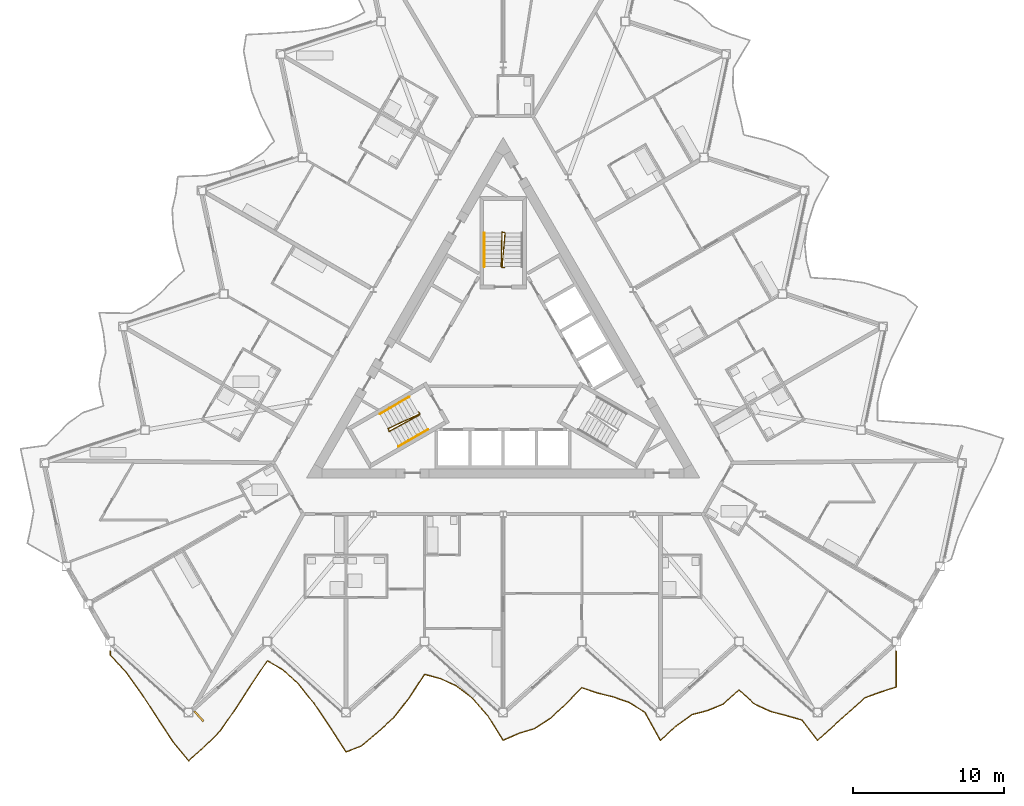
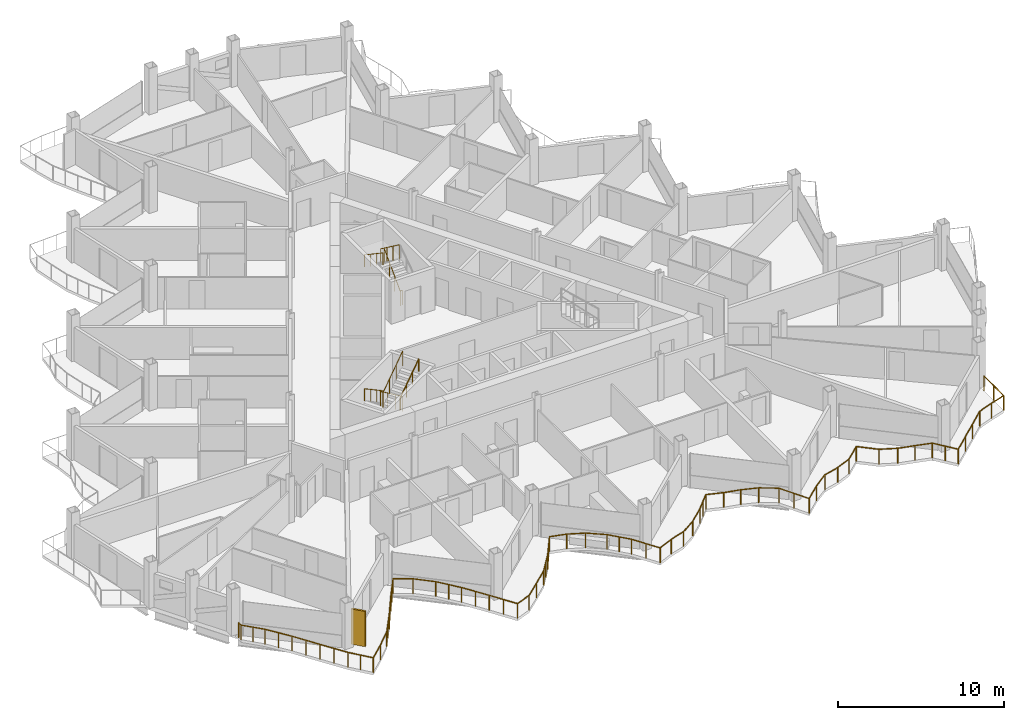
# One storey, part 23 of 27: 6 railings, 1 shading device.
"""IFC4 building model written with IfcOpenShell, lengths in metres."""

from ifc_helpers import new_model, si_unit, direction, frame, origin, origin_2d, place, context, subcontext, project, spatial, rectangle, circle, extrude, material, layer, layer_set, type_object, element, save


model = new_model("IFC4")

# Units and contexts
model_context = context("Model", 3, precision=1e-05, world=origin(), true_north=direction((0.0, 1.0)))
body_context = subcontext(model_context, "Body", "Model", "MODEL_VIEW")
ifc_project = project(units=[si_unit("LENGTHUNIT", "METRE"), si_unit("AREAUNIT", "SQUARE_METRE"), si_unit("VOLUMEUNIT", "CUBIC_METRE"), si_unit("PLANEANGLEUNIT", "RADIAN"), si_unit("MASSUNIT", "GRAM", prefix="KILO")], contexts=[model_context])

# Site, building, storey
site_placement = place(None, origin())
site = spatial("IfcSite", under=ifc_project, at=site_placement, CompositionType="ELEMENT")
building_placement = place(site_placement, origin())
building = spatial("IfcBuilding", under=site, at=building_placement, Name="Cormorant Prow Tower", CompositionType="ELEMENT")
storey_placement = place(building_placement, frame((0.0, 0.0, 332.39990234375)))
storey = spatial("IfcBuildingStorey", under=building, at=storey_placement, Name="L74", CompositionType="ELEMENT", Elevation=332.39990234375)

# Railings
ifc_material_1 = material(Name="Aluminium 6063-T6", Category="aluminium")
railing_type_1 = type_object("IfcRailingType", Name="Balcony guard 1100", PredefinedType="GUARDRAIL", material=ifc_material_1)
railing_1_placement = place(storey_placement, frame((-25.9814453125, -18.957763671875, 0.0)))
element("IfcRailing", 1, at=railing_1_placement, inside=storey, type_object=railing_type_1, Name="Balcony guard S", PredefinedType="GUARDRAIL", context=body_context, shape_type="SweptSolid", body=[
    extrude(circle(Radius=0.02392578125, at=origin_2d()), frame((0.0, 0.0, 1.076171875), z_axis=(0.0, -1.0, 0.0), x_axis=(1.0, 0.0, 0.0)), (0.0, 0.0, 1.0), 0.27001953125),
    extrude(circle(Radius=0.02392578125, at=origin_2d()), frame((0.0, -0.27001953125, 1.076171875), z_axis=(0.68032849275, -0.73290732153, 0.0), x_axis=(0.73290732153, 0.68032849275, 0.0)), (0.0, 0.0, 1.0), 1.527587890625),
    extrude(circle(Radius=0.02392578125, at=origin_2d()), frame((1.039306640625, -1.3896484375, 1.076171875), z_axis=(0.587080559974, -0.809528514693, 0.0), x_axis=(0.809528514693, 0.587080559974, 0.0)), (0.0, 0.0, 1.0), 1.770263671875),
    extrude(circle(Radius=0.02392578125, at=origin_2d()), frame((2.07861328125, -2.82275390625, 1.076171875), z_axis=(0.544651024109, -0.838662782015, 0.0), x_axis=(0.838662782015, 0.544651024109, 0.0)), (0.0, 0.0, 1.0), 1.908203125),
    extrude(circle(Radius=0.02392578125, at=origin_2d()), frame((3.117919921875, -4.423095703125, 1.076171875), z_axis=(0.551437597505, -0.834216144688, 0.0), x_axis=(0.834216144688, 0.551437597505, 0.0)), (0.0, 0.0, 1.0), 1.884765625),
    extrude(circle(Radius=0.02392578125, at=origin_2d()), frame((4.1572265625, -5.995361328125, 1.076171875), z_axis=(0.638205833075, -0.769865777022, 0.0), x_axis=(0.769865777022, 0.638205833075, 0.0)), (0.0, 0.0, 1.0), 1.628173828125),
    extrude(circle(Radius=0.02392578125, at=origin_2d()), frame((5.1962890625, -7.248779296875, 1.076171875), z_axis=(0.743146563056, 0.669128676578, 0.0), x_axis=(-0.669128676578, 0.743146563056, 0.0)), (0.0, 0.0, 1.0), 1.3984375),
    extrude(circle(Radius=0.02392578125, at=origin_2d()), frame((6.235595703125, -6.31298828125, 1.076171875), z_axis=(0.709686070567, 0.704518048912, 0.0), x_axis=(-0.704518048912, 0.709686070567, 0.0)), (0.0, 0.0, 1.0), 1.46435546875),
    extrude(circle(Radius=0.02392578125, at=origin_2d()), frame((7.27490234375, -5.28125, 1.076171875), z_axis=(0.570087082599, 0.821584273373, 0.0), x_axis=(-0.821584273373, 0.570087082599, 0.0)), (0.0, 0.0, 1.0), 1.822998046875),
    extrude(circle(Radius=0.02392578125, at=origin_2d()), frame((8.314208984375, -3.783447265625, 1.076171875), z_axis=(0.54159343413, 0.840640560589, 0.0), x_axis=(-0.840640560589, 0.54159343413, 0.0)), (0.0, 0.0, 1.0), 1.91845703125),
    extrude(circle(Radius=0.02392578125, at=origin_2d()), frame((9.353271484375, -2.170654296875, 1.076171875), z_axis=(0.562143861923, 0.827039466109, 0.0), x_axis=(-0.827039466109, 0.562143861923, 0.0)), (0.0, 0.0, 1.0), 1.848876953125),
    extrude(circle(Radius=0.02392578125, at=origin_2d()), frame((10.392578125, -0.6416015625, 1.076171875), z_axis=(0.865741715435, -0.500491041035, 0.0), x_axis=(0.500491041035, 0.865741715435, 0.0)), (0.0, 0.0, 1.0), 1.200439453125),
    extrude(circle(Radius=0.02392578125, at=origin_2d()), frame((11.431884765625, -1.242431640625, 1.076171875), z_axis=(0.735452211417, -0.677576596941, 0.0), x_axis=(0.677576596941, 0.735452211417, 0.0)), (0.0, 0.0, 1.0), 1.4130859375),
    extrude(circle(Radius=0.02392578125, at=origin_2d()), frame((12.47119140625, -2.199951171875, 1.076171875), z_axis=(0.621982306184, -0.783031296178, 0.0), x_axis=(0.783031296178, 0.621982306184, 0.0)), (0.0, 0.0, 1.0), 1.670654296875),
    extrude(circle(Radius=0.02392578125, at=origin_2d()), frame((13.51025390625, -3.508056640625, 1.076171875), z_axis=(0.55714419528, -0.830415766749, 0.0), x_axis=(0.830415766749, 0.55714419528, 0.0)), (0.0, 0.0, 1.0), 1.865478515625),
    extrude(circle(Radius=0.02392578125, at=origin_2d()), frame((14.549560546875, -5.05712890625, 1.076171875), z_axis=(0.542437384069, -0.840096235181, 0.0), x_axis=(0.840096235181, 0.542437384069, 0.0)), (0.0, 0.0, 1.0), 1.916015625),
    extrude(circle(Radius=0.02392578125, at=origin_2d()), frame((15.5888671875, -6.666748046875, 1.076171875), z_axis=(0.933368207953, 0.358920309236, 0.0), x_axis=(-0.358920309236, 0.933368207953, 0.0)), (0.0, 0.0, 1.0), 1.113525390625),
    extrude(circle(Radius=0.02392578125, at=origin_2d()), frame((16.628173828125, -6.26708984375, 1.076171875), z_axis=(0.759596574273, 0.650394529769, 0.0), x_axis=(-0.650394529769, 0.759596574273, 0.0)), (0.0, 0.0, 1.0), 1.3681640625),
    extrude(circle(Radius=0.02392578125, at=origin_2d()), frame((17.66748046875, -5.377197265625, 1.076171875), z_axis=(0.743155211164, 0.669119071706, 0.0), x_axis=(-0.669119071706, 0.743155211164, 0.0)), (0.0, 0.0, 1.0), 1.398193359375),
    extrude(circle(Radius=0.02392578125, at=origin_2d()), frame((18.70654296875, -4.441650390625, 1.076171875), z_axis=(0.618456548917, 0.785818997672, 0.0), x_axis=(-0.785818997672, 0.618456548917, 0.0)), (0.0, 0.0, 1.0), 1.680419921875),
    extrude(circle(Radius=0.02392578125, at=origin_2d()), frame((19.745849609375, -3.12109375, 1.076171875), z_axis=(0.548116340822, 0.836402102415, 0.0), x_axis=(-0.836402102415, 0.548116340822, 0.0)), (0.0, 0.0, 1.0), 1.896240234375),
    extrude(circle(Radius=0.02392578125, at=origin_2d()), frame((20.78515625, -1.53515625, 1.076171875), z_axis=(0.965337145809, -0.261006120467, 0.0), x_axis=(0.261006120467, 0.965337145809, 0.0)), (0.0, 0.0, 1.0), 1.07666015625),
    extrude(circle(Radius=0.02392578125, at=origin_2d()), frame((21.824462890625, -1.816162109375, 1.076171875), z_axis=(0.911375781862, -0.411575247354, 0.0), x_axis=(0.411575247354, 0.911375781862, 0.0)), (0.0, 0.0, 1.0), 1.14013671875),
    extrude(circle(Radius=0.02392578125, at=origin_2d()), frame((22.863525390625, -2.285400390625, 1.076171875), z_axis=(0.794479655582, -0.607290767974, 0.0), x_axis=(0.607290767974, 0.794479655582, 0.0)), (0.0, 0.0, 1.0), 1.30810546875),
    extrude(circle(Radius=0.02392578125, at=origin_2d()), frame((23.90283203125, -3.079833984375, 1.076171875), z_axis=(0.666858962994, -0.745183952775, 0.0), x_axis=(0.745183952775, 0.666858962994, 0.0)), (0.0, 0.0, 1.0), 1.55859375),
    extrude(circle(Radius=0.02392578125, at=origin_2d()), frame((24.942138671875, -4.2412109375, 1.076171875), z_axis=(0.531243493623, -0.8472191868, 0.0), x_axis=(0.8472191868, 0.531243493623, 0.0)), (0.0, 0.0, 1.0), 1.956298828125),
    extrude(circle(Radius=0.02392578125, at=origin_2d()), frame((25.9814453125, -5.898681640625, 1.076171875), z_axis=(0.914527695977, 0.404523291408, 0.0), x_axis=(-0.404523291408, 0.914527695977, 0.0)), (0.0, 0.0, 1.0), 1.136474609375),
    extrude(circle(Radius=0.02392578125, at=origin_2d()), frame((27.020751953125, -5.43896484375, 1.076171875), z_axis=(0.956899541661, 0.290419123285, 0.0), x_axis=(-0.290419123285, 0.956899541661, 0.0)), (0.0, 0.0, 1.0), 1.086181640625),
    extrude(circle(Radius=0.02392578125, at=origin_2d()), frame((28.06005859375, -5.12353515625, 1.076171875), z_axis=(0.836107029354, 0.548566345545, 0.0), x_axis=(-0.548566345545, 0.836107029354, 0.0)), (0.0, 0.0, 1.0), 1.242919921875),
    extrude(circle(Radius=0.02392578125, at=origin_2d()), frame((29.099365234375, -4.441650390625, 1.076171875), z_axis=(0.742981570304, 0.669311875129, 0.0), x_axis=(-0.669311875129, 0.742981570304, 0.0)), (0.0, 0.0, 1.0), 1.3984375),
    extrude(circle(Radius=0.02392578125, at=origin_2d()), frame((30.138427734375, -3.505615234375, 1.076171875), z_axis=(0.691506581765, 0.722370159528, 0.0), x_axis=(-0.722370159528, 0.691506581765, 0.0)), (0.0, 0.0, 1.0), 1.5029296875),
    extrude(circle(Radius=0.02392578125, at=origin_2d()), frame((31.177734375, -2.419921875, 1.076171875), z_axis=(0.947542004801, -0.319631270588, 0.0), x_axis=(0.319631270588, 0.947542004801, 0.0)), (0.0, 0.0, 1.0), 1.096923828125),
    extrude(circle(Radius=0.02392578125, at=origin_2d()), frame((32.217041015625, -2.7705078125, 1.076171875), z_axis=(0.970583467402, -0.240764891139, 0.0), x_axis=(0.240764891139, 0.970583467402, 0.0)), (0.0, 0.0, 1.0), 1.07080078125),
    extrude(circle(Radius=0.02392578125, at=origin_2d()), frame((33.25634765625, -3.0283203125, 1.076171875), z_axis=(0.943484496332, -0.331416664007, 0.0), x_axis=(0.331416664007, 0.943484496332, 0.0)), (0.0, 0.0, 1.0), 1.101318359375),
    extrude(circle(Radius=0.02392578125, at=origin_2d()), frame((34.29541015625, -3.393310546875, 1.076171875), z_axis=(0.851720136592, -0.523996955071, 0.0), x_axis=(0.523996955071, 0.851720136592, 0.0)), (0.0, 0.0, 1.0), 1.22021484375),
    extrude(circle(Radius=0.02392578125, at=origin_2d()), frame((35.334716796875, -4.03271484375, 1.076171875), z_axis=(0.486593742433, -0.873628370547, 0.0), x_axis=(0.873628370547, 0.486593742433, 0.0)), (0.0, 0.0, 1.0), 2.135986328125),
    extrude(circle(Radius=0.02392578125, at=origin_2d()), frame((36.3740234375, -5.898681640625, 1.076171875), z_axis=(0.743233373979, 0.669032250197, 0.0), x_axis=(-0.669032250197, 0.743233373979, 0.0)), (0.0, 0.0, 1.0), 1.3984375),
    extrude(circle(Radius=0.02392578125, at=origin_2d()), frame((37.413330078125, -4.963134765625, 1.076171875), z_axis=(0.806477264535, 0.591265102799, 0.0), x_axis=(-0.591265102799, 0.806477264535, 0.0)), (0.0, 0.0, 1.0), 1.288818359375),
    extrude(circle(Radius=0.02392578125, at=origin_2d()), frame((38.45263671875, -4.201171875, 1.076171875), z_axis=(0.968295078372, 0.249809209599, 0.0), x_axis=(-0.249809209599, 0.968295078372, 0.0)), (0.0, 0.0, 1.0), 1.072998046875),
    extrude(circle(Radius=0.02392578125, at=origin_2d()), frame((39.49169921875, -3.93310546875, 1.076171875), z_axis=(0.924822006948, 0.380400125479, 0.0), x_axis=(-0.380400125479, 0.924822006948, 0.0)), (0.0, 0.0, 1.0), 1.123779296875),
    extrude(circle(Radius=0.02392578125, at=origin_2d()), frame((40.531005859375, -3.505615234375, 1.076171875), z_axis=(0.743233373979, 0.669032250197, 0.0), x_axis=(-0.669032250197, 0.743233373979, 0.0)), (0.0, 0.0, 1.0), 1.3984375),
    extrude(circle(Radius=0.02392578125, at=origin_2d()), frame((41.5703125, -2.570068359375, 1.076171875), z_axis=(0.743233373979, -0.669032250197, 0.0), x_axis=(0.669032250197, 0.743233373979, 0.0)), (0.0, 0.0, 1.0), 1.3984375),
    extrude(circle(Radius=0.02392578125, at=origin_2d()), frame((42.609619140625, -3.505615234375, 1.076171875), z_axis=(0.907253077538, -0.420585132045, 0.0), x_axis=(0.420585132045, 0.907253077538, 0.0)), (0.0, 0.0, 1.0), 1.145263671875),
    extrude(circle(Radius=0.02392578125, at=origin_2d()), frame((43.648681640625, -3.9873046875, 1.076171875), z_axis=(0.966865328374, -0.255286969484, 0.0), x_axis=(0.255286969484, 0.966865328374, 0.0)), (0.0, 0.0, 1.0), 1.074951171875),
    extrude(circle(Radius=0.02392578125, at=origin_2d()), frame((44.68798828125, -4.26171875, 1.076171875), z_axis=(0.962313261268, -0.271943352902, 0.0), x_axis=(0.271943352902, 0.962313261268, 0.0)), (0.0, 0.0, 1.0), 1.080078125),
    extrude(circle(Radius=0.02392578125, at=origin_2d()), frame((45.727294921875, -4.555419921875, 1.076171875), z_axis=(0.61193832341, -0.790905486352, 0.0), x_axis=(0.790905486352, 0.61193832341, 0.0)), (0.0, 0.0, 1.0), 1.698486328125),
    extrude(circle(Radius=0.02392578125, at=origin_2d()), frame((46.7666015625, -5.898681640625, 1.076171875), z_axis=(0.743155211164, 0.669119071706, 0.0), x_axis=(-0.669119071706, 0.743155211164, 0.0)), (0.0, 0.0, 1.0), 1.398193359375),
    extrude(circle(Radius=0.02392578125, at=origin_2d()), frame((47.8056640625, -4.963134765625, 1.076171875), z_axis=(0.743146563056, 0.669128676578, 0.0), x_axis=(-0.669128676578, 0.743146563056, 0.0)), (0.0, 0.0, 1.0), 1.3984375),
    extrude(circle(Radius=0.02392578125, at=origin_2d()), frame((48.844970703125, -4.02734375, 1.076171875), z_axis=(0.743146563056, 0.669128676578, 0.0), x_axis=(-0.669128676578, 0.743146563056, 0.0)), (0.0, 0.0, 1.0), 1.3984375),
    extrude(circle(Radius=0.02392578125, at=origin_2d()), frame((49.88427734375, -3.091552734375, 1.076171875), z_axis=(0.939154099966, 0.343496108444, 0.0), x_axis=(-0.343496108444, 0.939154099966, 0.0)), (0.0, 0.0, 1.0), 1.106689453125),
    extrude(circle(Radius=0.02392578125, at=origin_2d()), frame((50.923583984375, -2.71142578125, 1.076171875), z_axis=(0.951853923043, 0.306551968168, 0.0), x_axis=(-0.306551968168, 0.951853923043, 0.0)), (0.0, 0.0, 1.0), 1.091796875),
    extrude(circle(Radius=0.02392578125, at=origin_2d()), frame((51.962890625, -2.376708984375, 1.076171875), z_axis=(0.0, 1.0, 0.0), x_axis=(-1.0, 0.0, 0.0)), (0.0, 0.0, 1.0), 2.376708984375),
    extrude(circle(Radius=0.02099609375, at=origin_2d()), origin(), (0.0, 0.0, 1.0), 1.052001953125),
    extrude(circle(Radius=0.02099609375, at=origin_2d()), frame((0.0, -0.27001953125, 0.0)), (0.0, 0.0, 1.0), 1.052001953125),
    extrude(circle(Radius=0.02099609375, at=origin_2d()), frame((0.51953125, -0.829833984375, 0.0)), (0.0, 0.0, 1.0), 1.052001953125),
    extrude(circle(Radius=0.02099609375, at=origin_2d()), frame((1.039306640625, -1.3896484375, 0.0)), (0.0, 0.0, 1.0), 1.052001953125),
    extrude(circle(Radius=0.02099609375, at=origin_2d()), frame((1.55908203125, -2.106201171875, 0.0)), (0.0, 0.0, 1.0), 1.052001953125),
    extrude(circle(Radius=0.02099609375, at=origin_2d()), frame((2.07861328125, -2.82275390625, 0.0)), (0.0, 0.0, 1.0), 1.052001953125),
    extrude(circle(Radius=0.02099609375, at=origin_2d()), frame((2.59814453125, -3.623046875, 0.0)), (0.0, 0.0, 1.0), 1.052001953125),
    extrude(circle(Radius=0.02099609375, at=origin_2d()), frame((3.117919921875, -4.423095703125, 0.0)), (0.0, 0.0, 1.0), 1.052001953125),
    extrude(circle(Radius=0.02099609375, at=origin_2d()), frame((3.6376953125, -5.209228515625, 0.0)), (0.0, 0.0, 1.0), 1.052001953125),
    extrude(circle(Radius=0.02099609375, at=origin_2d()), frame((4.1572265625, -5.995361328125, 0.0)), (0.0, 0.0, 1.0), 1.052001953125),
    extrude(circle(Radius=0.02099609375, at=origin_2d()), frame((4.6767578125, -6.6220703125, 0.0)), (0.0, 0.0, 1.0), 1.052001953125),
    extrude(circle(Radius=0.02099609375, at=origin_2d()), frame((5.1962890625, -7.248779296875, 0.0)), (0.0, 0.0, 1.0), 1.052001953125),
    extrude(circle(Radius=0.02099609375, at=origin_2d()), frame((6.235595703125, -6.31298828125, 0.0)), (0.0, 0.0, 1.0), 1.052001953125),
    extrude(circle(Radius=0.02099609375, at=origin_2d()), frame((7.27490234375, -5.28125, 0.0)), (0.0, 0.0, 1.0), 1.052001953125),
    extrude(circle(Radius=0.02099609375, at=origin_2d()), frame((7.79443359375, -4.5322265625, 0.0)), (0.0, 0.0, 1.0), 1.052001953125),
    extrude(circle(Radius=0.02099609375, at=origin_2d()), frame((8.314208984375, -3.783447265625, 0.0)), (0.0, 0.0, 1.0), 1.052001953125),
    extrude(circle(Radius=0.02099609375, at=origin_2d()), frame((8.833740234375, -2.97705078125, 0.0)), (0.0, 0.0, 1.0), 1.052001953125),
    extrude(circle(Radius=0.02099609375, at=origin_2d()), frame((9.353271484375, -2.170654296875, 0.0)), (0.0, 0.0, 1.0), 1.052001953125),
    extrude(circle(Radius=0.02099609375, at=origin_2d()), frame((9.873046875, -1.40625, 0.0)), (0.0, 0.0, 1.0), 1.052001953125),
    extrude(circle(Radius=0.02099609375, at=origin_2d()), frame((10.392578125, -0.6416015625, 0.0)), (0.0, 0.0, 1.0), 1.052001953125),
    extrude(circle(Radius=0.02099609375, at=origin_2d()), frame((11.431884765625, -1.242431640625, 0.0)), (0.0, 0.0, 1.0), 1.052001953125),
    extrude(circle(Radius=0.02099609375, at=origin_2d()), frame((12.47119140625, -2.199951171875, 0.0)), (0.0, 0.0, 1.0), 1.052001953125),
    extrude(circle(Radius=0.02099609375, at=origin_2d()), frame((12.99072265625, -2.85400390625, 0.0)), (0.0, 0.0, 1.0), 1.052001953125),
    extrude(circle(Radius=0.02099609375, at=origin_2d()), frame((13.51025390625, -3.508056640625, 0.0)), (0.0, 0.0, 1.0), 1.052001953125),
    extrude(circle(Radius=0.02099609375, at=origin_2d()), frame((14.02978515625, -4.28271484375, 0.0)), (0.0, 0.0, 1.0), 1.052001953125),
    extrude(circle(Radius=0.02099609375, at=origin_2d()), frame((14.549560546875, -5.05712890625, 0.0)), (0.0, 0.0, 1.0), 1.052001953125),
    extrude(circle(Radius=0.02099609375, at=origin_2d()), frame((15.0693359375, -5.86181640625, 0.0)), (0.0, 0.0, 1.0), 1.052001953125),
    extrude(circle(Radius=0.02099609375, at=origin_2d()), frame((15.5888671875, -6.666748046875, 0.0)), (0.0, 0.0, 1.0), 1.052001953125),
    extrude(circle(Radius=0.02099609375, at=origin_2d()), frame((16.628173828125, -6.26708984375, 0.0)), (0.0, 0.0, 1.0), 1.052001953125),
    extrude(circle(Radius=0.02099609375, at=origin_2d()), frame((17.66748046875, -5.377197265625, 0.0)), (0.0, 0.0, 1.0), 1.052001953125),
    extrude(circle(Radius=0.02099609375, at=origin_2d()), frame((18.70654296875, -4.441650390625, 0.0)), (0.0, 0.0, 1.0), 1.052001953125),
    extrude(circle(Radius=0.02099609375, at=origin_2d()), frame((19.22607421875, -3.78125, 0.0)), (0.0, 0.0, 1.0), 1.052001953125),
    extrude(circle(Radius=0.02099609375, at=origin_2d()), frame((19.745849609375, -3.12109375, 0.0)), (0.0, 0.0, 1.0), 1.052001953125),
    extrude(circle(Radius=0.02099609375, at=origin_2d()), frame((20.265625, -2.328125, 0.0)), (0.0, 0.0, 1.0), 1.052001953125),
    extrude(circle(Radius=0.02099609375, at=origin_2d()), frame((20.78515625, -1.53515625, 0.0)), (0.0, 0.0, 1.0), 1.052001953125),
    extrude(circle(Radius=0.02099609375, at=origin_2d()), frame((21.824462890625, -1.816162109375, 0.0)), (0.0, 0.0, 1.0), 1.052001953125),
    extrude(circle(Radius=0.02099609375, at=origin_2d()), frame((22.863525390625, -2.285400390625, 0.0)), (0.0, 0.0, 1.0), 1.052001953125),
    extrude(circle(Radius=0.02099609375, at=origin_2d()), frame((23.90283203125, -3.079833984375, 0.0)), (0.0, 0.0, 1.0), 1.052001953125),
    extrude(circle(Radius=0.02099609375, at=origin_2d()), frame((24.42236328125, -3.66064453125, 0.0)), (0.0, 0.0, 1.0), 1.052001953125),
    extrude(circle(Radius=0.02099609375, at=origin_2d()), frame((24.942138671875, -4.2412109375, 0.0)), (0.0, 0.0, 1.0), 1.052001953125),
    extrude(circle(Radius=0.02099609375, at=origin_2d()), frame((25.4619140625, -5.06982421875, 0.0)), (0.0, 0.0, 1.0), 1.052001953125),
    extrude(circle(Radius=0.02099609375, at=origin_2d()), frame((25.9814453125, -5.898681640625, 0.0)), (0.0, 0.0, 1.0), 1.052001953125),
    extrude(circle(Radius=0.02099609375, at=origin_2d()), frame((27.020751953125, -5.43896484375, 0.0)), (0.0, 0.0, 1.0), 1.052001953125),
    extrude(circle(Radius=0.02099609375, at=origin_2d()), frame((28.06005859375, -5.12353515625, 0.0)), (0.0, 0.0, 1.0), 1.052001953125),
    extrude(circle(Radius=0.02099609375, at=origin_2d()), frame((29.099365234375, -4.441650390625, 0.0)), (0.0, 0.0, 1.0), 1.052001953125),
    extrude(circle(Radius=0.02099609375, at=origin_2d()), frame((30.138427734375, -3.505615234375, 0.0)), (0.0, 0.0, 1.0), 1.052001953125),
    extrude(circle(Radius=0.02099609375, at=origin_2d()), frame((30.658203125, -2.962890625, 0.0)), (0.0, 0.0, 1.0), 1.052001953125),
    extrude(circle(Radius=0.02099609375, at=origin_2d()), frame((31.177734375, -2.419921875, 0.0)), (0.0, 0.0, 1.0), 1.052001953125),
    extrude(circle(Radius=0.02099609375, at=origin_2d()), frame((32.217041015625, -2.7705078125, 0.0)), (0.0, 0.0, 1.0), 1.052001953125),
    extrude(circle(Radius=0.02099609375, at=origin_2d()), frame((33.25634765625, -3.0283203125, 0.0)), (0.0, 0.0, 1.0), 1.052001953125),
    extrude(circle(Radius=0.02099609375, at=origin_2d()), frame((34.29541015625, -3.393310546875, 0.0)), (0.0, 0.0, 1.0), 1.052001953125),
    extrude(circle(Radius=0.02099609375, at=origin_2d()), frame((35.334716796875, -4.03271484375, 0.0)), (0.0, 0.0, 1.0), 1.052001953125),
    extrude(circle(Radius=0.02099609375, at=origin_2d()), frame((35.8544921875, -4.9658203125, 0.0)), (0.0, 0.0, 1.0), 1.052001953125),
    extrude(circle(Radius=0.02099609375, at=origin_2d()), frame((36.3740234375, -5.898681640625, 0.0)), (0.0, 0.0, 1.0), 1.052001953125),
    extrude(circle(Radius=0.02099609375, at=origin_2d()), frame((37.413330078125, -4.963134765625, 0.0)), (0.0, 0.0, 1.0), 1.052001953125),
    extrude(circle(Radius=0.02099609375, at=origin_2d()), frame((38.45263671875, -4.201171875, 0.0)), (0.0, 0.0, 1.0), 1.052001953125),
    extrude(circle(Radius=0.02099609375, at=origin_2d()), frame((39.49169921875, -3.93310546875, 0.0)), (0.0, 0.0, 1.0), 1.052001953125),
    extrude(circle(Radius=0.02099609375, at=origin_2d()), frame((40.531005859375, -3.505615234375, 0.0)), (0.0, 0.0, 1.0), 1.052001953125),
    extrude(circle(Radius=0.02099609375, at=origin_2d()), frame((41.5703125, -2.570068359375, 0.0)), (0.0, 0.0, 1.0), 1.052001953125),
    extrude(circle(Radius=0.02099609375, at=origin_2d()), frame((42.609619140625, -3.505615234375, 0.0)), (0.0, 0.0, 1.0), 1.052001953125),
    extrude(circle(Radius=0.02099609375, at=origin_2d()), frame((43.648681640625, -3.9873046875, 0.0)), (0.0, 0.0, 1.0), 1.052001953125),
    extrude(circle(Radius=0.02099609375, at=origin_2d()), frame((44.68798828125, -4.26171875, 0.0)), (0.0, 0.0, 1.0), 1.052001953125),
    extrude(circle(Radius=0.02099609375, at=origin_2d()), frame((45.727294921875, -4.555419921875, 0.0)), (0.0, 0.0, 1.0), 1.052001953125),
    extrude(circle(Radius=0.02099609375, at=origin_2d()), frame((46.2470703125, -5.22705078125, 0.0)), (0.0, 0.0, 1.0), 1.052001953125),
    extrude(circle(Radius=0.02099609375, at=origin_2d()), frame((46.7666015625, -5.898681640625, 0.0)), (0.0, 0.0, 1.0), 1.052001953125),
    extrude(circle(Radius=0.02099609375, at=origin_2d()), frame((47.8056640625, -4.963134765625, 0.0)), (0.0, 0.0, 1.0), 1.052001953125),
    extrude(circle(Radius=0.02099609375, at=origin_2d()), frame((48.844970703125, -4.02734375, 0.0)), (0.0, 0.0, 1.0), 1.052001953125),
    extrude(circle(Radius=0.02099609375, at=origin_2d()), frame((49.88427734375, -3.091552734375, 0.0)), (0.0, 0.0, 1.0), 1.052001953125),
    extrude(circle(Radius=0.02099609375, at=origin_2d()), frame((50.923583984375, -2.71142578125, 0.0)), (0.0, 0.0, 1.0), 1.052001953125),
    extrude(circle(Radius=0.02099609375, at=origin_2d()), frame((51.962890625, -2.376708984375, 0.0)), (0.0, 0.0, 1.0), 1.052001953125),
    extrude(circle(Radius=0.02099609375, at=origin_2d()), frame((51.962890625, -1.1884765625, 0.0)), (0.0, 0.0, 1.0), 1.052001953125),
    extrude(circle(Radius=0.02099609375, at=origin_2d()), frame((51.962890625, 0.0, 0.0)), (0.0, 0.0, 1.0), 1.052001953125),
])
ifc_material_2 = material(Name="Stainless steel", Category="steel")
railing_type_2 = type_object("IfcRailingType", Name="Stair guard 1100", PredefinedType="GUARDRAIL", material=ifc_material_2)
railing_2_placement = place(storey_placement, frame((-5.585205078125, -3.137939453125, 0.0)))
element("IfcRailing", 2, at=railing_2_placement, inside=storey, type_object=railing_type_2, Name="L74 ST1 stair guard 1", PredefinedType="GUARDRAIL", context=body_context, shape_type="SweptSolid", body=[
    extrude(circle(Radius=0.02392578125, at=origin_2d()), frame((0.0, 0.0, 1.076171875), z_axis=(0.501036270542, -0.865426285481, 0.0), x_axis=(0.865426285481, 0.501036270542, 0.0)), (0.0, 0.0, 1.0), 0.150146484375),
    extrude(circle(Radius=0.02392578125, at=origin_2d()), frame((0.0751953125, -0.1298828125, 1.076171875), z_axis=(-0.728604041492, -0.3399241403, 0.594632432316), x_axis=(0.422792438952, -0.906226546491, 0.0)), (0.0, 0.0, 1.0), 2.859130859375),
    extrude(circle(Radius=0.02392578125, at=origin_2d()), frame((-2.008056640625, -1.101806640625, 2.7763671875), z_axis=(0.275034262293, -0.961434425515, 0.0), x_axis=(0.961434425515, 0.275034262293, 0.0)), (0.0, 0.0, 1.0), 0.2060546875),
    extrude(circle(Radius=0.02392578125, at=origin_2d()), frame((-1.951416015625, -1.2998046875, 2.7763671875), z_axis=(0.704058451865, 0.386179398835, 0.595959032378), x_axis=(-0.480911908544, 0.87676891837, 0.0)), (0.0, 0.0, 1.0), 2.8525390625),
    extrude(circle(Radius=0.02099609375, at=origin_2d()), origin(), (0.0, 0.0, 1.0), 1.052001953125),
    extrude(circle(Radius=0.02099609375, at=origin_2d()), frame((0.0751953125, -0.1298828125, 0.0)), (0.0, 0.0, 1.0), 1.052001953125),
    extrude(circle(Radius=0.02099609375, at=origin_2d()), frame((-0.619140625, -0.453857421875, 0.566650390625)), (0.0, 0.0, 1.0), 1.052001953125),
    extrude(circle(Radius=0.02099609375, at=origin_2d()), frame((-1.313720703125, -0.77783203125, 1.133544921875)), (0.0, 0.0, 1.0), 1.052001953125),
    extrude(circle(Radius=0.02099609375, at=origin_2d()), frame((-2.008056640625, -1.101806640625, 1.7001953125)), (0.0, 0.0, 1.0), 1.052001953125),
    extrude(circle(Radius=0.02099609375, at=origin_2d()), frame((-1.951416015625, -1.2998046875, 1.7001953125)), (0.0, 0.0, 1.0), 1.052001953125),
    extrude(circle(Radius=0.02099609375, at=origin_2d()), frame((-1.281982421875, -0.9326171875, 2.266845703125)), (0.0, 0.0, 1.0), 1.052001953125),
    extrude(circle(Radius=0.02099609375, at=origin_2d()), frame((-0.612548828125, -0.5654296875, 2.83349609375)), (0.0, 0.0, 1.0), 1.052001953125),
    extrude(circle(Radius=0.02099609375, at=origin_2d()), frame((0.056884765625, -0.1982421875, 3.400146484375)), (0.0, 0.0, 1.0), 1.052001953125),
])
railing_3_placement = place(storey_placement, frame((0.074951171875, 6.40576171875, 0.0)))
element("IfcRailing", 3, at=railing_3_placement, inside=storey, type_object=railing_type_2, Name="L74 ST3 stair guard 1", PredefinedType="GUARDRAIL", context=body_context, shape_type="SweptSolid", body=[
    extrude(circle(Radius=0.02392578125, at=origin_2d()), frame((0.0, 0.0, 1.076171875), z_axis=(-1.0, 0.0, 0.0), x_axis=(0.0, -1.0, 0.0)), (0.0, 0.0, 1.0), 0.14990234375),
    extrude(circle(Radius=0.02392578125, at=origin_2d()), frame((-0.14990234375, 0.0, 1.076171875), z_axis=(0.069932991402, 0.800941952812, 0.594643897589), x_axis=(-0.996209839609, 0.086982500921, 0.0)), (0.0, 0.0, 1.0), 2.859130859375),
    extrude(circle(Radius=0.02392578125, at=origin_2d()), frame((0.050048828125, 2.2900390625, 2.7763671875), z_axis=(-0.970072785993, 0.242814311512, 0.0), x_axis=(-0.242814311512, -0.970072785993, 0.0)), (0.0, 0.0, 1.0), 0.2060546875),
    extrude(circle(Radius=0.02392578125, at=origin_2d()), frame((-0.14990234375, 2.340087890625, 2.7763671875), z_axis=(-0.017545750742, -0.80282508275, 0.595956402045), x_axis=(0.999761264773, -0.0218497931, 0.0)), (0.0, 0.0, 1.0), 2.8525390625),
    extrude(circle(Radius=0.02099609375, at=origin_2d()), origin(), (0.0, 0.0, 1.0), 1.052001953125),
    extrude(circle(Radius=0.02099609375, at=origin_2d()), frame((-0.14990234375, 0.0, 0.0)), (0.0, 0.0, 1.0), 1.052001953125),
    extrude(circle(Radius=0.02099609375, at=origin_2d()), frame((-0.083251953125, 0.763427734375, 0.566650390625)), (0.0, 0.0, 1.0), 1.052001953125),
    extrude(circle(Radius=0.02099609375, at=origin_2d()), frame((-0.0166015625, 1.526611328125, 1.133544921875)), (0.0, 0.0, 1.0), 1.052001953125),
    extrude(circle(Radius=0.02099609375, at=origin_2d()), frame((0.050048828125, 2.2900390625, 1.7001953125)), (0.0, 0.0, 1.0), 1.052001953125),
    extrude(circle(Radius=0.02099609375, at=origin_2d()), frame((-0.14990234375, 2.340087890625, 1.7001953125)), (0.0, 0.0, 1.0), 1.052001953125),
    extrude(circle(Radius=0.02099609375, at=origin_2d()), frame((-0.16650390625, 1.57666015625, 2.266845703125)), (0.0, 0.0, 1.0), 1.052001953125),
    extrude(circle(Radius=0.02099609375, at=origin_2d()), frame((-0.183349609375, 0.8134765625, 2.83349609375)), (0.0, 0.0, 1.0), 1.052001953125),
    extrude(circle(Radius=0.02099609375, at=origin_2d()), frame((-0.199951171875, 0.050048828125, 3.400146484375)), (0.0, 0.0, 1.0), 1.052001953125),
])
ifc_material_3 = material(Name="Stainless steel", Category="steel")
railing_type_3 = type_object("IfcRailingType", Name="Stair handrail 900", PredefinedType="HANDRAIL", material=ifc_material_3)
railing_4_placement = place(storey_placement, frame((-6.212890625, -2.150634765625, 0.18896484375)))
element("IfcRailing", 4, at=railing_4_placement, inside=storey, type_object=railing_type_3, Name="L74 ST1 stair handrail 1", PredefinedType="HANDRAIL", context=body_context, shape_type="SweptSolid", body=[
    extrude(circle(Radius=0.02392578125, at=origin_2d()), frame((0.0, 0.0, 0.8759765625), z_axis=(-0.717940317343, -0.414446543626, 0.55928147047), x_axis=(0.49994888933, -0.866054910533, 0.0)), (0.0, 0.0, 1.0), 2.7021484375),
    extrude(circle(Radius=0.02099609375, at=origin_2d()), origin(), (0.0, 0.0, 1.0), 0.851806640625),
    extrude(circle(Radius=0.02099609375, at=origin_2d()), frame((-0.646728515625, -0.373291015625, 0.503662109375)), (0.0, 0.0, 1.0), 0.851806640625),
    extrude(circle(Radius=0.02099609375, at=origin_2d()), frame((-1.293212890625, -0.74658203125, 1.007568359375)), (0.0, 0.0, 1.0), 0.851806640625),
    extrude(circle(Radius=0.02099609375, at=origin_2d()), frame((-1.93994140625, -1.119873046875, 1.51123046875)), (0.0, 0.0, 1.0), 0.851806640625),
])
railing_5_placement = place(storey_placement, frame((-6.90869140625, -5.42529296875, 1.888916015625)))
element("IfcRailing", 5, at=railing_5_placement, inside=storey, type_object=railing_type_3, Name="L74 ST1 stair handrail 2", PredefinedType="HANDRAIL", context=body_context, shape_type="SweptSolid", body=[
    extrude(circle(Radius=0.02392578125, at=origin_2d()), frame((0.0, 0.0, 0.8759765625), z_axis=(0.717869644322, 0.414548260308, 0.559296802813), x_axis=(-0.500077830873, 0.865980463445, 0.0)), (0.0, 0.0, 1.0), 2.701904296875),
    extrude(circle(Radius=0.02099609375, at=origin_2d()), origin(), (0.0, 0.0, 1.0), 0.851806640625),
    extrude(circle(Radius=0.02099609375, at=origin_2d()), frame((0.646484375, 0.373291015625, 0.503662109375)), (0.0, 0.0, 1.0), 0.851806640625),
    extrude(circle(Radius=0.02099609375, at=origin_2d()), frame((1.293212890625, 0.746826171875, 1.007568359375)), (0.0, 0.0, 1.0), 0.851806640625),
    extrude(circle(Radius=0.02099609375, at=origin_2d()), frame((1.939697265625, 1.1201171875, 1.51123046875)), (0.0, 0.0, 1.0), 0.851806640625),
])
railing_6_placement = place(storey_placement, frame((-1.243896484375, 8.69580078125, 1.888916015625)))
element("IfcRailing", 6, at=railing_6_placement, inside=storey, type_object=railing_type_3, Name="L74 ST3 stair handrail 2", PredefinedType="HANDRAIL", context=body_context, shape_type="SweptSolid", body=[
    extrude(circle(Radius=0.02392578125, at=origin_2d()), frame((0.0, 0.0, 0.8759765625), z_axis=(0.0, -0.828979582247, 0.559278868023), x_axis=(1.0, 0.0, 0.0)), (0.0, 0.0, 1.0), 2.7021484375),
    extrude(circle(Radius=0.02099609375, at=origin_2d()), origin(), (0.0, 0.0, 1.0), 0.851806640625),
    extrude(circle(Radius=0.02099609375, at=origin_2d()), frame((0.0, -0.74658203125, 0.503662109375)), (0.0, 0.0, 1.0), 0.851806640625),
    extrude(circle(Radius=0.02099609375, at=origin_2d()), frame((0.0, -1.493408203125, 1.007568359375)), (0.0, 0.0, 1.0), 0.851806640625),
    extrude(circle(Radius=0.02099609375, at=origin_2d()), frame((0.0, -2.239990234375, 1.51123046875)), (0.0, 0.0, 1.0), 0.851806640625),
])

# Shading device
ifc_material_4 = material(Name="Terracotta", Category="masonry")
ifc_layer = layer(ifc_material_4, 0.1201171875)
ifc_layer_set = layer_set([ifc_layer], Name="Terracotta")
shading_device_type = type_object("IfcShadingDeviceType", Name="Terracotta baguette fin 120x900x2600", PredefinedType="USERDEFINED", material=ifc_layer_set)
shading_device_placement = place(storey_placement, frame((-20.116943359375, -23.260498046875, 0.0), z_axis=(0.0, 0.0, 1.0), x_axis=(0.743144841442, 0.669130588628, 0.0)))
element("IfcShadingDevice", 7, at=shading_device_placement, inside=storey, type_object=shading_device_type, Name="Baguette fin S01", ObjectType="BAGUETTE", PredefinedType="USERDEFINED", context=body_context, shape_type="SweptSolid", body=[
    extrude(rectangle(XDim=0.1201171875, YDim=0.89990234375, at=origin_2d()), origin(), (0.0, 0.0, 1.0), 2.60009765625),
])

save(model, "model.ifc")
